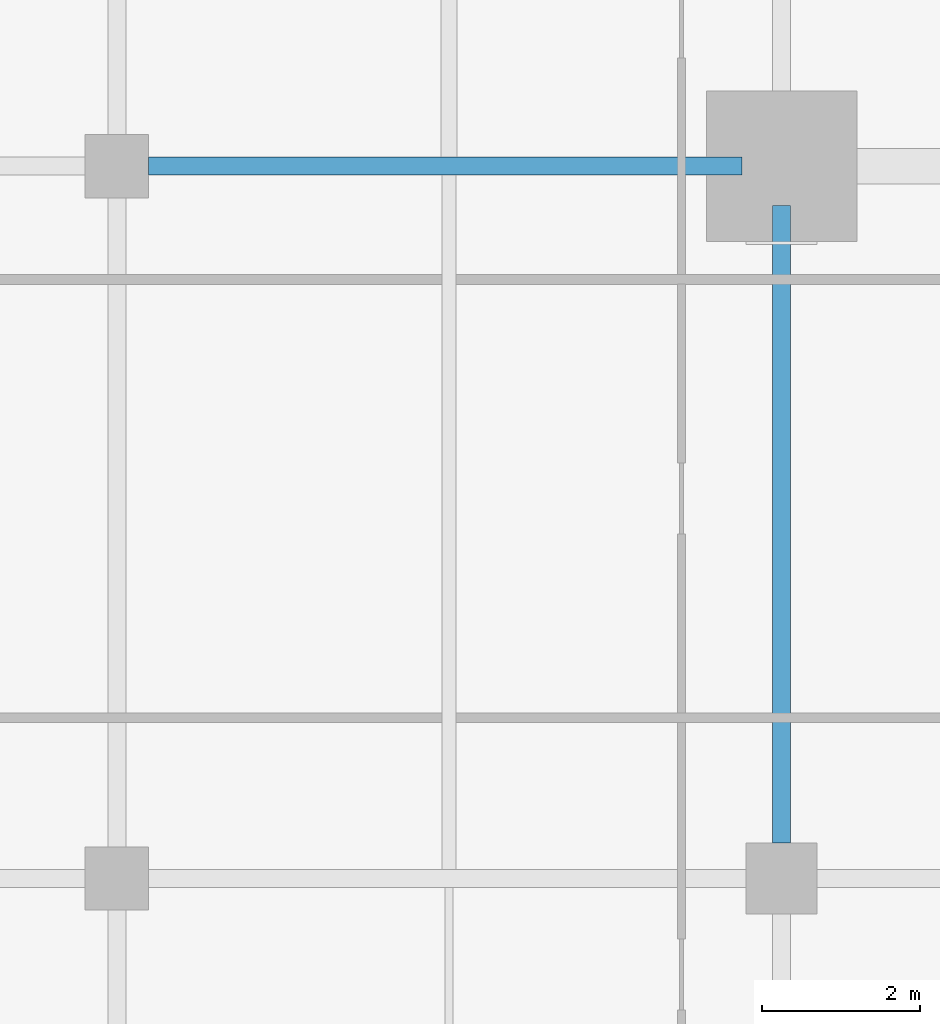
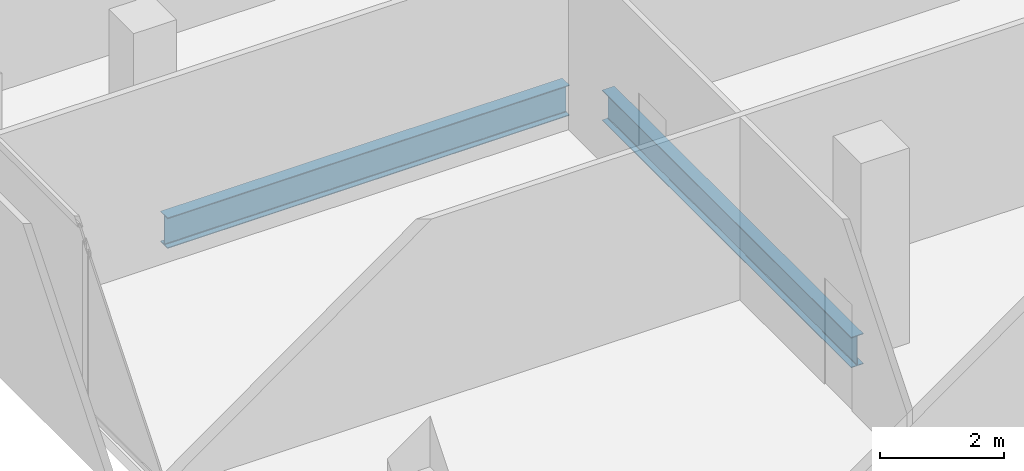
# One storey, part 9 of 33: 2 beams.
"""IFC4 building model written with IfcOpenShell, lengths in metres."""

from ifc_helpers import new_model, si_unit, direction, frame, origin, origin_2d, place, context, subcontext, project, spatial, i_section, extrude, material, material_profile, profile_set, type_object, element, save


model = new_model("IFC4")

# Units and contexts
model_context = context("Model", 3, precision=1e-05, world=origin(), true_north=direction((0.0, 1.0)))
body_context = subcontext(model_context, "Body", "Model", "MODEL_VIEW")
ifc_project = project(units=[si_unit("LENGTHUNIT", "METRE"), si_unit("AREAUNIT", "SQUARE_METRE"), si_unit("VOLUMEUNIT", "CUBIC_METRE"), si_unit("PLANEANGLEUNIT", "RADIAN"), si_unit("MASSUNIT", "GRAM", prefix="KILO")], contexts=[model_context])

# Site, building, storey
site_placement = place(None, origin())
site = spatial("IfcSite", under=ifc_project, at=site_placement, CompositionType="ELEMENT")
building_placement = place(site_placement, origin())
building = spatial("IfcBuilding", under=site, at=building_placement, Name="Maruvema Waterfront Hotel and Observation Tower", CompositionType="ELEMENT")
storey_placement = place(building_placement, frame((0.0, 0.0, 158.199951171875)))
storey = spatial("IfcBuildingStorey", under=building, at=storey_placement, Name="L38", CompositionType="ELEMENT", Elevation=158.199951171875)

# Beams
ifc_material = material(Name="Steel ASTM A572 Grade 50", Category="steel")
ifc_material_profile = material_profile(ifc_material, i_section(OverallWidth=0.22802734375, OverallDepth=0.60302734375, WebThickness=0.010498046875, FlangeThickness=0.014892578125, FilletRadius=0.01806640625, at=origin_2d()), Name="W610x101.0")
ifc_profile_set = profile_set([ifc_material_profile], Name="Steel ASTM A572 Grade 50")
beam_type = type_object("IfcBeamType", Name="Primary Floor Girder W610x101.0", PredefinedType="BEAM", material=ifc_profile_set)
beam_1_placement = place(storey_placement, frame((17.199951171875, 27.0, -0.54150390625), z_axis=(1.0, 0.0, 0.0), x_axis=(0.0, 1.0, 0.0)))
element("IfcBeam", 1, at=beam_1_placement, inside=storey, type_object=beam_type, Name="L38 Floor Girder EW-19", PredefinedType="BEAM", context=body_context, shape_type="SweptSolid", body=[
    extrude(i_section(OverallWidth=0.22802734375, OverallDepth=0.60302734375, WebThickness=0.010498046875, FlangeThickness=0.014892578125, FilletRadius=0.01806640625, at=origin_2d()), origin(), (0.0, 0.0, 1.0), 7.5),
])
beam_2_placement = place(storey_placement, frame((25.199951171875, 18.449951171875, -0.54150390625), z_axis=(0.0, 1.0, 0.0), x_axis=(-1.0, 0.0, 0.0)))
element("IfcBeam", 2, at=beam_2_placement, inside=storey, type_object=beam_type, Name="L38 Floor Girder NS-11", PredefinedType="BEAM", context=body_context, shape_type="SweptSolid", body=[
    extrude(i_section(OverallWidth=0.22802734375, OverallDepth=0.60302734375, WebThickness=0.010498046875, FlangeThickness=0.014892578125, FilletRadius=0.01806640625, at=origin_2d()), origin(), (0.0, 0.0, 1.0), 8.050048828125),
])

save(model, "model.ifc")
